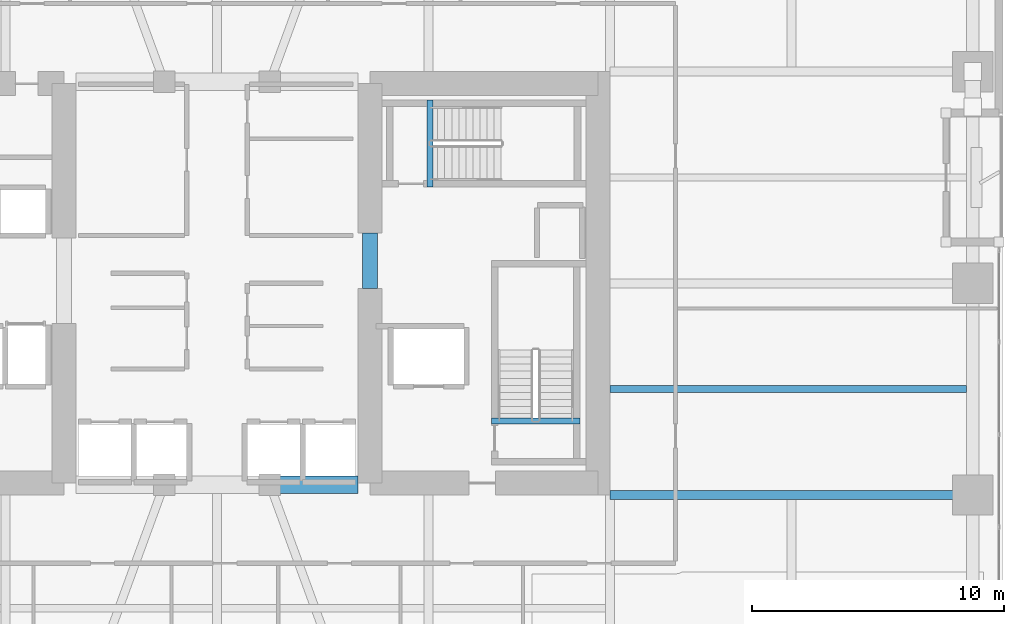
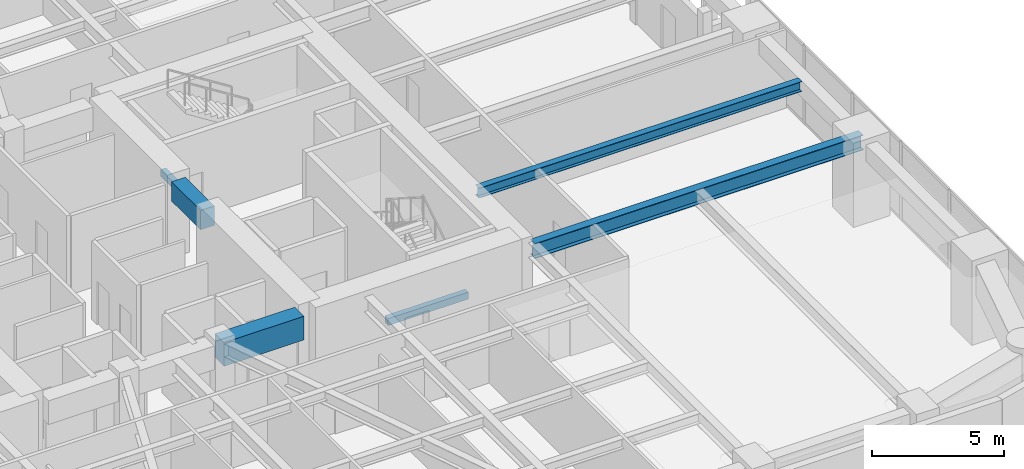
# One storey, part 7 of 29: 6 beams.
"""IFC4 building model written with IfcOpenShell, lengths in metres."""

from ifc_helpers import new_model, si_unit, direction, frame, origin, origin_2d, place, context, subcontext, project, spatial, rectangle, i_section, extrude, material, material_profile, profile_set, type_object, element, save


model = new_model("IFC4")

# Units and contexts
model_context = context("Model", 3, precision=1e-05, world=origin(), true_north=direction((0.0, 1.0)))
body_context = subcontext(model_context, "Body", "Model", "MODEL_VIEW")
ifc_project = project(units=[si_unit("LENGTHUNIT", "METRE"), si_unit("AREAUNIT", "SQUARE_METRE"), si_unit("VOLUMEUNIT", "CUBIC_METRE"), si_unit("PLANEANGLEUNIT", "RADIAN"), si_unit("MASSUNIT", "GRAM", prefix="KILO")], contexts=[model_context])

# Site, building, storey
site_placement = place(None, origin())
site = spatial("IfcSite", under=ifc_project, at=site_placement, CompositionType="ELEMENT")
building_placement = place(site_placement, origin())
building = spatial("IfcBuilding", under=site, at=building_placement, Name="Kiyonajd Concourse Tower", CompositionType="ELEMENT")
storey_placement = place(building_placement, frame((0.0, 0.0, 48.89990234375)))
storey = spatial("IfcBuildingStorey", under=building, at=storey_placement, Name="L13", CompositionType="ELEMENT", Elevation=48.89990234375)

# Beams
ifc_material_1 = material(Name="Concrete C70/85", Category="concrete")
ifc_material_profile_1 = material_profile(ifc_material_1, rectangle(XDim=0.699951171875, YDim=1.10009765625, at=origin_2d()), Name="RCBM-700x1100")
ifc_profile_set_1 = profile_set([ifc_material_profile_1], Name="Concrete C70/85")
beam_type_1 = type_object("IfcBeamType", Name="BM-COUP-1100", PredefinedType="LINTEL", material=ifc_profile_set_1)
beam_1_placement = place(storey_placement, frame((50.10009765625, 28.0, 3.090087890625), z_axis=(1.0, 0.0, 0.0), x_axis=(0.0, 1.0, 0.0)))
element("IfcBeam", 1, at=beam_1_placement, inside=storey, type_object=beam_type_1, Name="L13 Core Coupling Beam S3", PredefinedType="LINTEL", context=body_context, shape_type="SweptSolid", body=[
    extrude(rectangle(XDim=0.699951171875, YDim=1.10009765625, at=origin_2d()), origin(), (0.0, 0.0, 1.0), 3.5),
])
ifc_material_2 = material(Name="Concrete C60/75", Category="concrete")
ifc_material_profile_2 = material_profile(ifc_material_2, rectangle(XDim=0.60009765625, YDim=0.89990234375, at=origin_2d()), Name="RCBM-600x900")
ifc_profile_set_2 = profile_set([ifc_material_profile_2], Name="Concrete C60/75")
beam_type_2 = type_object("IfcBeamType", Name="BM-COUP-900", PredefinedType="LINTEL", material=ifc_profile_set_2)
beam_2_placement = place(storey_placement, frame((54.074951171875, 35.800048828125, 3.090087890625), z_axis=(0.0, 1.0, 0.0), x_axis=(-1.0, 0.0, 0.0)))
element("IfcBeam", 2, at=beam_2_placement, inside=storey, type_object=beam_type_2, Name="L13 East Core Throat Coupling Lintel", PredefinedType="LINTEL", context=body_context, shape_type="SweptSolid", body=[
    extrude(rectangle(XDim=0.60009765625, YDim=0.89990234375, at=origin_2d()), origin(), (0.0, 0.0, 1.0), 2.199951171875),
])
ifc_material_3 = material(Name="Steel ASTM A992 Grade 50", Category="steel")
ifc_material_profile_3 = material_profile(ifc_material_3, i_section(OverallWidth=0.280029296875, OverallDepth=0.462890625, WebThickness=0.0107421875, FlangeThickness=0.017333984375, at=origin_2d()), Name="W460X113")
ifc_profile_set_3 = profile_set([ifc_material_profile_3], Name="Steel ASTM A992 Grade 50")
beam_type_3 = type_object("IfcBeamType", Name="BM-JST-460A", PredefinedType="JOIST", material=ifc_profile_set_3)
beam_3_placement = place(storey_placement, frame((63.60009765625, 31.800048828125, 3.40869140625), z_axis=(1.0, 0.0, 0.0), x_axis=(0.0, 1.0, 0.0)))
element("IfcBeam", 3, at=beam_3_placement, inside=storey, type_object=beam_type_3, Name="L13 East Secondary Floor Joist", PredefinedType="JOIST", context=body_context, shape_type="SweptSolid", body=[
    extrude(i_section(OverallWidth=0.280029296875, OverallDepth=0.462890625, WebThickness=0.0107421875, FlangeThickness=0.017333984375, at=origin_2d()), origin(), (0.0, 0.0, 1.0), 14.14990234375),
])
ifc_material_4 = material(Name="Concrete C50/60", Category="concrete")
ifc_material_profile_4 = material_profile(ifc_material_4, rectangle(XDim=0.239990234375, YDim=0.320068359375, at=origin_2d()), Name="RCBM-240x320")
ifc_profile_set_4 = profile_set([ifc_material_profile_4], Name="Concrete C50/60")
beam_type_4 = type_object("IfcBeamType", Name="BM-LNT-250", PredefinedType="LINTEL", material=ifc_profile_set_4)
beam_4_placement = place(storey_placement, frame((58.889892578125, 30.530029296875, -0.159912109375), z_axis=(1.0, 0.0, 0.0), x_axis=(0.0, 1.0, 0.0)))
element("IfcBeam", 4, at=beam_4_placement, inside=storey, type_object=beam_type_4, Name="L13 Stair ST2 Threshold Support Beam", PredefinedType="LINTEL", context=body_context, shape_type="SweptSolid", body=[
    extrude(rectangle(XDim=0.239990234375, YDim=0.320068359375, at=origin_2d()), origin(), (0.0, 0.0, 1.0), 3.52001953125),
])
beam_5_placement = place(storey_placement, frame((56.4599609375, 39.820068359375, -0.159912109375), z_axis=(0.0, 1.0, 0.0), x_axis=(-1.0, 0.0, 0.0)))
element("IfcBeam", 5, at=beam_5_placement, inside=storey, type_object=beam_type_4, Name="L13 Stair ST3 Threshold Support Beam", PredefinedType="LINTEL", context=body_context, shape_type="SweptSolid", body=[
    extrude(rectangle(XDim=0.239990234375, YDim=0.320068359375, at=origin_2d()), origin(), (0.0, 0.0, 1.0), 3.4599609375),
])
ifc_material_profile_5 = material_profile(ifc_material_3, i_section(OverallWidth=0.35498046875, OverallDepth=0.695068359375, WebThickness=0.015380859375, FlangeThickness=0.02490234375, at=origin_2d()), Name="W690X217")
ifc_profile_set_5 = profile_set([ifc_material_profile_5], Name="Steel ASTM A992 Grade 50")
beam_type_5 = type_object("IfcBeamType", Name="BM-TWR-690", PredefinedType="BEAM", material=ifc_profile_set_5)
beam_6_placement = place(storey_placement, frame((63.60009765625, 27.60009765625, 3.29248046875), z_axis=(1.0, 0.0, 0.0), x_axis=(0.0, 1.0, 0.0)))
element("IfcBeam", 6, at=beam_6_placement, inside=storey, type_object=beam_type_5, Name="L13 East Lease Girder", PredefinedType="BEAM", context=body_context, shape_type="SweptSolid", body=[
    extrude(i_section(OverallWidth=0.35498046875, OverallDepth=0.695068359375, WebThickness=0.015380859375, FlangeThickness=0.02490234375, at=origin_2d()), origin(), (0.0, 0.0, 1.0), 14.39990234375),
])

save(model, "model.ifc")
